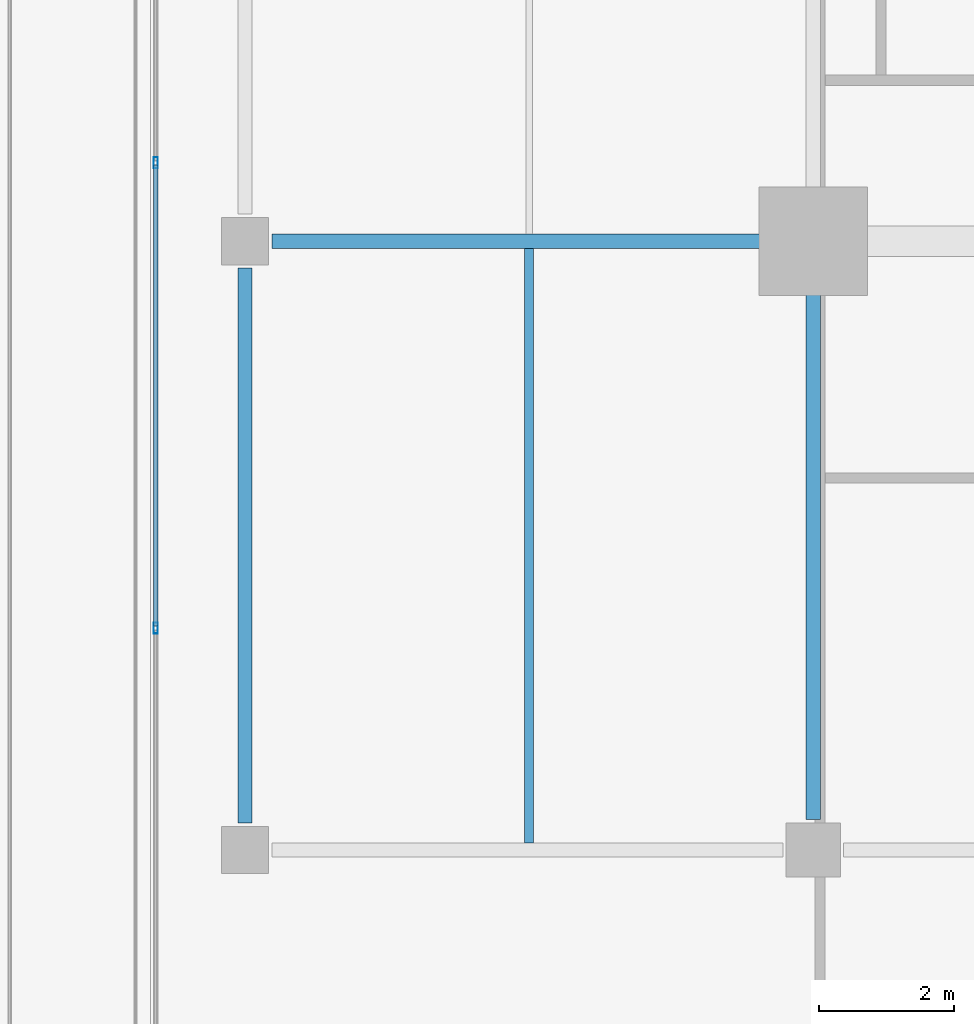
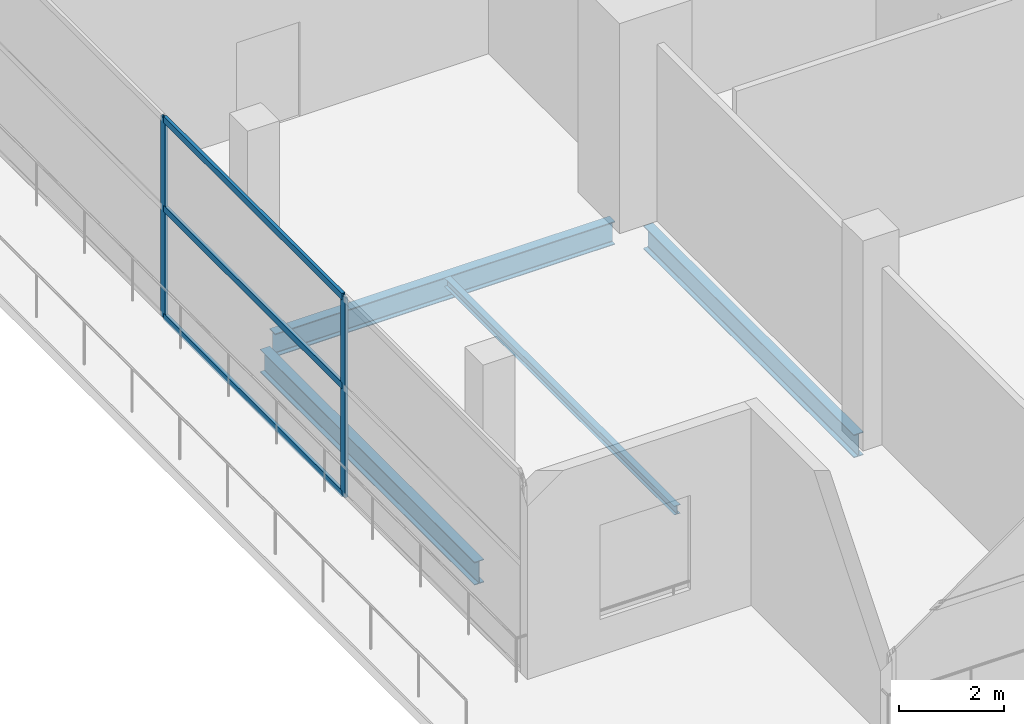
# One storey, part 6 of 28: 5 members, 4 beams, 1 element without a shape of its own.
"""IFC4 building model written with IfcOpenShell, lengths in metres."""

from ifc_helpers import new_model, si_unit, direction, frame, origin, origin_2d, place, context, subcontext, project, spatial, hollow_rectangle, i_section, extrude, material, layer, layer_set, material_profile, profile_set, type_object, element, aggregate, save


model = new_model("IFC4")

# Units and contexts
model_context = context("Model", 3, precision=1e-05, world=origin(), true_north=direction((0.0, 1.0)))
body_context = subcontext(model_context, "Body", "Model", "MODEL_VIEW")
ifc_project = project(units=[si_unit("LENGTHUNIT", "METRE"), si_unit("AREAUNIT", "SQUARE_METRE"), si_unit("VOLUMEUNIT", "CUBIC_METRE"), si_unit("PLANEANGLEUNIT", "RADIAN"), si_unit("MASSUNIT", "GRAM", prefix="KILO")], contexts=[model_context])

# Site, building, storey
site_placement = place(None, origin())
site = spatial("IfcSite", under=ifc_project, at=site_placement, CompositionType="ELEMENT")
building_placement = place(site_placement, origin())
building = spatial("IfcBuilding", under=site, at=building_placement, Name="Maruvema Waterfront Hotel and Observation Tower", CompositionType="ELEMENT")
storey_placement = place(building_placement, frame((0.0, 0.0, 234.5)))
storey = spatial("IfcBuildingStorey", under=building, at=storey_placement, Name="L57", CompositionType="ELEMENT", Elevation=234.5)

# Curtain wall, members
ifc_material_1 = material(Name="Anodised bronze aluminium and solar-control low-E IGU", Category="aluminium")
ifc_layer = layer(ifc_material_1, 0.159912109375, Name="Zone 3 Champagne Inner Thermal Curtain Wall System CW-04")
ifc_layer_set = layer_set([ifc_layer], Name="Anodised bronze aluminium and solar-control low-E IGU")
curtain_wall_type = type_object("IfcCurtainWallType", Name="Zone 3 Champagne Inner Thermal Curtain Wall System CW-04", PredefinedType="USERDEFINED", material=ifc_layer_set)
curtain_wall_placement = place(storey_placement, origin())
curtain_wall = element("IfcCurtainWall", 1, at=curtain_wall_placement, inside=storey, type_object=curtain_wall_type, Name="L57 Curtain Wall CW-L57-W", ObjectType="UNITISED CURTAIN WALL", PredefinedType="USERDEFINED")
ifc_material_2 = material(Name="Anodised architectural bronze aluminium", Category="aluminium")
ifc_material_profile_1 = material_profile(ifc_material_2, hollow_rectangle(XDim=0.070068359375, YDim=0.14990234375, WallThickness=0.00390625, at=origin_2d()), Name="ALU-T70x150")
ifc_profile_set_1 = profile_set([ifc_material_profile_1], Name="Anodised architectural bronze aluminium")
member_type_1 = type_object("IfcMemberType", Name="Curtain Wall Horizontal Transom ALU-T70x150", PredefinedType="USERDEFINED", material=ifc_profile_set_1)
member_1_placement = place(storey_placement, frame((15.47998046875, 28.1298828125, 0.030029296875), z_axis=(0.0, -1.0, 0.0), x_axis=(1.0, 0.0, 0.0)))
member_1 = element("IfcMember", 2, at=member_1_placement, type_object=member_type_1, Name="CW-04 transom 4.1", ObjectType="TRANSOM", PredefinedType="USERDEFINED", context=body_context, shape_type="SweptSolid", body=[
    extrude(hollow_rectangle(XDim=0.070068359375, YDim=0.14990234375, WallThickness=0.00390625, at=origin_2d()), origin(), (0.0, 0.0, 1.0), 6.81982421875),
])
member_2_placement = place(storey_placement, frame((15.47998046875, 28.1298828125, 2.550048828125), z_axis=(0.0, -1.0, 0.0), x_axis=(1.0, 0.0, 0.0)))
member_2 = element("IfcMember", 3, at=member_2_placement, type_object=member_type_1, Name="CW-04 transom 4.2", ObjectType="TRANSOM", PredefinedType="USERDEFINED", context=body_context, shape_type="SweptSolid", body=[
    extrude(hollow_rectangle(XDim=0.070068359375, YDim=0.14990234375, WallThickness=0.00390625, at=origin_2d()), origin(), (0.0, 0.0, 1.0), 6.81982421875),
])
member_3_placement = place(storey_placement, frame((15.47998046875, 28.1298828125, 4.6298828125), z_axis=(0.0, -1.0, 0.0), x_axis=(1.0, 0.0, 0.0)))
member_3 = element("IfcMember", 4, at=member_3_placement, type_object=member_type_1, Name="CW-04 transom 4.3", ObjectType="TRANSOM", PredefinedType="USERDEFINED", context=body_context, shape_type="SweptSolid", body=[
    extrude(hollow_rectangle(XDim=0.070068359375, YDim=0.14990234375, WallThickness=0.00390625, at=origin_2d()), origin(), (0.0, 0.0, 1.0), 6.81982421875),
])
ifc_material_3 = material(Name="Anodised architectural bronze aluminium", Category="aluminium")
ifc_material_profile_2 = material_profile(ifc_material_3, hollow_rectangle(XDim=0.06494140625, YDim=0.1650390625, WallThickness=0.00390625, at=origin_2d()), Name="ALU-M65x165")
ifc_profile_set_2 = profile_set([ifc_material_profile_2], Name="Anodised architectural bronze aluminium")
member_type_2 = type_object("IfcMemberType", Name="Curtain Wall Primary Mullion ALU-M65x165", PredefinedType="MULLION", material=ifc_profile_set_2)
member_4_placement = place(storey_placement, frame((15.47998046875, 28.159912109375, 0.0), z_axis=(0.0, 0.0, 1.0), x_axis=(1.0, 0.0, 0.0)))
member_4 = element("IfcMember", 5, at=member_4_placement, type_object=member_type_2, Name="CW-04 mullion 4", PredefinedType="MULLION", context=body_context, shape_type="SweptSolid", body=[
    extrude(hollow_rectangle(XDim=0.06494140625, YDim=0.1650390625, WallThickness=0.00390625, at=origin_2d()), origin(), (0.0, 0.0, 1.0), 4.659912109375),
])
member_5_placement = place(storey_placement, frame((15.47998046875, 21.280029296875, 0.0), z_axis=(0.0, 0.0, 1.0), x_axis=(1.0, 0.0, 0.0)))
member_5 = element("IfcMember", 6, at=member_5_placement, type_object=member_type_2, Name="CW-04 mullion 5", PredefinedType="MULLION", context=body_context, shape_type="SweptSolid", body=[
    extrude(hollow_rectangle(XDim=0.06494140625, YDim=0.1650390625, WallThickness=0.00390625, at=origin_2d()), origin(), (0.0, 0.0, 1.0), 4.659912109375),
])
aggregate(curtain_wall, [member_4, member_5, member_1, member_2, member_3])

# Beams
ifc_material_4 = material(Name="Steel ASTM A572 Grade 50", Category="steel")
ifc_material_profile_3 = material_profile(ifc_material_4, i_section(OverallWidth=0.2109375, OverallDepth=0.5390625, WebThickness=0.01171875, FlangeThickness=0.018798828125, FilletRadius=0.014892578125, at=origin_2d()), Name="W530x109.0")
ifc_profile_set_3 = profile_set([ifc_material_profile_3], Name="Steel ASTM A572 Grade 50")
beam_type_1 = type_object("IfcBeamType", Name="Primary Floor Girder W530x109.0", PredefinedType="BEAM", material=ifc_profile_set_3)
beam_1_placement = place(storey_placement, frame((17.199951171875, 27.0, -0.509521484375), z_axis=(1.0, 0.0, 0.0), x_axis=(0.0, 1.0, 0.0)))
element("IfcBeam", 7, at=beam_1_placement, inside=storey, type_object=beam_type_1, Name="L57 Floor Girder EW-06", PredefinedType="BEAM", context=body_context, shape_type="SweptSolid", body=[
    extrude(i_section(OverallWidth=0.2109375, OverallDepth=0.5390625, WebThickness=0.01171875, FlangeThickness=0.018798828125, FilletRadius=0.014892578125, at=origin_2d()), origin(), (0.0, 0.0, 1.0), 7.5),
])
beam_2_placement = place(storey_placement, frame((16.800048828125, 18.39990234375, -0.509521484375), z_axis=(0.0, 1.0, 0.0), x_axis=(-1.0, 0.0, 0.0)))
element("IfcBeam", 8, at=beam_2_placement, inside=storey, type_object=beam_type_1, Name="L57 Floor Girder NS-01", PredefinedType="BEAM", context=body_context, shape_type="SweptSolid", body=[
    extrude(i_section(OverallWidth=0.2109375, OverallDepth=0.5390625, WebThickness=0.01171875, FlangeThickness=0.018798828125, FilletRadius=0.014892578125, at=origin_2d()), origin(), (0.0, 0.0, 1.0), 8.2001953125),
])
beam_3_placement = place(storey_placement, frame((25.199951171875, 18.449951171875, -0.509521484375), z_axis=(0.0, 1.0, 0.0), x_axis=(-1.0, 0.0, 0.0)))
element("IfcBeam", 9, at=beam_3_placement, inside=storey, type_object=beam_type_1, Name="L57 Floor Girder NS-04", PredefinedType="BEAM", context=body_context, shape_type="SweptSolid", body=[
    extrude(i_section(OverallWidth=0.2109375, OverallDepth=0.5390625, WebThickness=0.01171875, FlangeThickness=0.018798828125, FilletRadius=0.014892578125, at=origin_2d()), origin(), (0.0, 0.0, 1.0), 8.050048828125),
])
ifc_material_5 = material(Name="Steel ASTM A572 Grade 50", Category="steel")
ifc_material_profile_4 = material_profile(ifc_material_5, i_section(OverallWidth=0.133056640625, OverallDepth=0.20703125, WebThickness=0.005859375, FlangeThickness=0.00830078125, FilletRadius=0.010009765625, at=origin_2d()), Name="W200x26.6")
ifc_profile_set_4 = profile_set([ifc_material_profile_4], Name="Steel ASTM A572 Grade 50")
beam_type_2 = type_object("IfcBeamType", Name="Secondary Floor Joist W200x26.6", PredefinedType="JOIST", material=ifc_profile_set_4)
beam_4_placement = place(storey_placement, frame((21.0, 18.10546875, -0.343505859375), z_axis=(0.0, 1.0, 0.0), x_axis=(-1.0, 0.0, 0.0)))
element("IfcBeam", 10, at=beam_4_placement, inside=storey, type_object=beam_type_2, Name="L57 Secondary Floor Joist JS-01", PredefinedType="JOIST", context=body_context, shape_type="SweptSolid", body=[
    extrude(i_section(OverallWidth=0.133056640625, OverallDepth=0.20703125, WebThickness=0.005859375, FlangeThickness=0.00830078125, FilletRadius=0.010009765625, at=origin_2d()), origin(), (0.0, 0.0, 1.0), 8.7890625),
])

save(model, "model.ifc")
